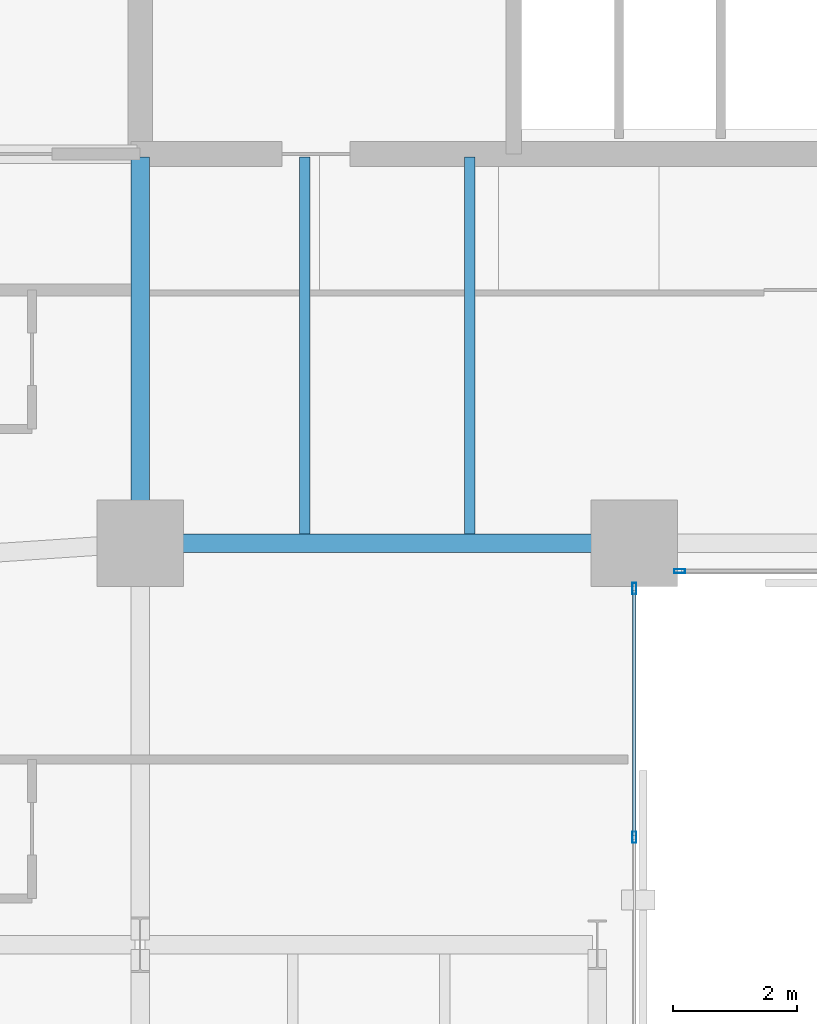
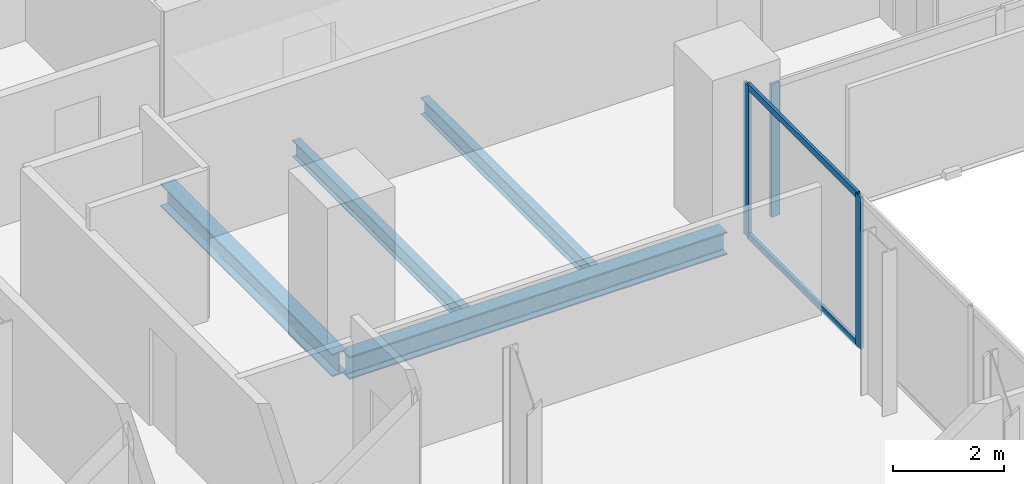
# One storey, part 13 of 32: 5 members, 4 beams, 2 elements without a shape of their own.
"""IFC4 building model written with IfcOpenShell, lengths in metres."""

from ifc_helpers import new_model, si_unit, direction, frame, origin, origin_2d, place, context, subcontext, project, spatial, hollow_rectangle, i_section, extrude, material, layer, layer_set, material_profile, profile_set, type_object, element, aggregate, save


model = new_model("IFC4")

# Units and contexts
model_context = context("Model", 3, precision=1e-05, world=origin(), true_north=direction((0.0, 1.0)))
body_context = subcontext(model_context, "Body", "Model", "MODEL_VIEW")
ifc_project = project(units=[si_unit("LENGTHUNIT", "METRE"), si_unit("AREAUNIT", "SQUARE_METRE"), si_unit("VOLUMEUNIT", "CUBIC_METRE"), si_unit("PLANEANGLEUNIT", "RADIAN"), si_unit("MASSUNIT", "GRAM", prefix="KILO")], contexts=[model_context])

# Site, building, storey
site_placement = place(None, origin())
site = spatial("IfcSite", under=ifc_project, at=site_placement, CompositionType="ELEMENT")
building_placement = place(site_placement, origin())
building = spatial("IfcBuilding", under=site, at=building_placement, Name="Catumbela Crestline Tower", CompositionType="ELEMENT")
storey_placement = place(building_placement, frame((0.0, 0.0, 65.4)))
storey = spatial("IfcBuildingStorey", under=building, at=storey_placement, Name="L16", CompositionType="ELEMENT", Elevation=65.4)

# Beams
ifc_material_1 = material(Name="Structural steel S355J2", Category="steel")
ifc_material_profile_1 = material_profile(ifc_material_1, i_section(OverallWidth=0.3, OverallDepth=0.5, WebThickness=0.0145, FlangeThickness=0.028, FilletRadius=0.027, at=origin_2d()), Name="HEB 500")
ifc_profile_set_1 = profile_set([ifc_material_profile_1], Name="Structural steel S355J2")
beam_type_1 = type_object("IfcBeamType", Name="BG-HEB500", PredefinedType="BEAM", material=ifc_profile_set_1)
beam_1_placement = place(storey_placement, frame((16.08, 24.5, -0.51), z_axis=(1.0, 0.0, 0.0), x_axis=(0.0, 1.0, 0.0)))
element("IfcBeam", 1, at=beam_1_placement, inside=storey, type_object=beam_type_1, Name="L16 Beam BM-L16-S04", PredefinedType="BEAM", context=body_context, shape_type="SweptSolid", body=[
    extrude(i_section(OverallWidth=0.3, OverallDepth=0.5, WebThickness=0.0145, FlangeThickness=0.028, FilletRadius=0.027, at=origin_2d()), origin(), (0.0, 0.0, 1.0), 7.84),
])
beam_2_placement = place(storey_placement, frame((16.0, 24.58, -0.51), z_axis=(0.0, 1.0, 0.0), x_axis=(-1.0, 0.0, 0.0)))
element("IfcBeam", 2, at=beam_2_placement, inside=storey, type_object=beam_type_1, Name="L16 Beam BM-L16-SNS31", PredefinedType="BEAM", context=body_context, shape_type="SweptSolid", body=[
    extrude(i_section(OverallWidth=0.3, OverallDepth=0.5, WebThickness=0.0145, FlangeThickness=0.028, FilletRadius=0.027, at=origin_2d()), origin(), (0.0, 0.0, 1.0), 6.17),
])
ifc_material_profile_2 = material_profile(ifc_material_1, i_section(OverallWidth=0.17, OverallDepth=0.36, WebThickness=0.008, FlangeThickness=0.0127, FilletRadius=0.018, at=origin_2d()), Name="IPE 360")
ifc_profile_set_2 = profile_set([ifc_material_profile_2], Name="Structural steel S355J2")
beam_type_2 = type_object("IfcBeamType", Name="BJ-IPE360", PredefinedType="JOIST", material=ifc_profile_set_2)
for number, where, z_axis, x_axis, name in (
    (3, (18.667, 24.647, -0.44), (0.0, 1.0, 0.0), (-1.0, 0.0, 0.0), "L16 Joist JS-L16-SP42"),
    (4, (21.333, 24.647, -0.44), (0.0, 1.0, 0.0), (-1.0, 0.0, 0.0), "L16 Joist JS-L16-SP43"),
):
    element("IfcBeam", number, at=place(storey_placement, frame(where, z_axis=z_axis, x_axis=x_axis)), inside=storey, type_object=beam_type_2, Name=name, PredefinedType="JOIST", context=body_context, shape_type="SweptSolid", body=[
        extrude(i_section(OverallWidth=0.17, OverallDepth=0.36, WebThickness=0.008, FlangeThickness=0.0127, FilletRadius=0.018, at=origin_2d()), origin(), (0.0, 0.0, 1.0), 6.103),
    ])

# Curtain wall, members
ifc_material_2 = material(Name="Aluminium alloy AW-6060-T66", Category="aluminium")
ifc_layer = layer(ifc_material_2, 0.18, Name="Aluminium alloy AW-6060-T66")
ifc_layer_set = layer_set([ifc_layer], Name="Aluminium alloy AW-6060-T66")
curtain_wall_type = type_object("IfcCurtainWallType", Name="CWU-Z1", PredefinedType="USERDEFINED", material=ifc_layer_set)
curtain_wall_1_placement = place(storey_placement, origin())
curtain_wall_1 = element("IfcCurtainWall", 5, at=curtain_wall_1_placement, inside=storey, type_object=curtain_wall_type, Name="L16 Unitised Curtain Wall CW-L16-E2S1", ObjectType="UNITISED", PredefinedType="USERDEFINED")
ifc_material_profile_3 = material_profile(ifc_material_2, hollow_rectangle(XDim=0.065, YDim=0.18, WallThickness=0.004, at=origin_2d()), Name="ALU 180x65x4")
ifc_profile_set_3 = profile_set([ifc_material_profile_3], Name="Aluminium alloy AW-6060-T66")
member_type_1 = type_object("IfcMemberType", Name="MUL-180X65", PredefinedType="MULLION", material=ifc_profile_set_3)
member_1_placement = place(storey_placement, frame((24.0, 19.74, 0.0), z_axis=(0.0, 0.0, 1.0), x_axis=(-1.0, 0.0, 0.0)))
member_1 = element("IfcMember", 6, at=member_1_placement, type_object=member_type_1, Name="CWU-Z1 mullion 5", PredefinedType="MULLION", context=body_context, shape_type="SweptSolid", body=[
    extrude(hollow_rectangle(XDim=0.065, YDim=0.18, WallThickness=0.004, at=origin_2d()), origin(), (0.0, 0.0, 1.0), 3.33),
])
member_2_placement = place(storey_placement, frame((24.0, 23.7675, 0.0), z_axis=(0.0, 0.0, 1.0), x_axis=(-1.0, 0.0, 0.0)))
member_2 = element("IfcMember", 7, at=member_2_placement, type_object=member_type_1, Name="CWU-Z1 mullion 6", PredefinedType="MULLION", context=body_context, shape_type="SweptSolid", body=[
    extrude(hollow_rectangle(XDim=0.065, YDim=0.18, WallThickness=0.004, at=origin_2d()), origin(), (0.0, 0.0, 1.0), 3.33),
])

# Curtain wall, member
curtain_wall_2_placement = place(storey_placement, origin())
curtain_wall_2 = element("IfcCurtainWall", 8, at=curtain_wall_2_placement, inside=storey, type_object=curtain_wall_type, Name="L16 Unitised Curtain Wall CW-L16-E3S1", ObjectType="UNITISED", PredefinedType="USERDEFINED")
member_3_placement = place(storey_placement, frame((24.7325, 24.05, 0.0), z_axis=(0.0, 0.0, 1.0), x_axis=(0.0, 1.0, 0.0)))
member_3 = element("IfcMember", 9, at=member_3_placement, type_object=member_type_1, Name="CWU-Z1 mullion 1", PredefinedType="MULLION", context=body_context, shape_type="SweptSolid", body=[
    extrude(hollow_rectangle(XDim=0.065, YDim=0.18, WallThickness=0.004, at=origin_2d()), origin(), (0.0, 0.0, 1.0), 2.92),
])
aggregate(curtain_wall_2, [member_3])

# Member
ifc_material_profile_4 = material_profile(ifc_material_2, hollow_rectangle(XDim=0.06, YDim=0.14, WallThickness=0.004, at=origin_2d()), Name="ALU 140x60x4")
ifc_profile_set_4 = profile_set([ifc_material_profile_4], Name="Aluminium alloy AW-6060-T66")
member_type_2 = type_object("IfcMemberType", Name="TRN-140X60", PredefinedType="USERDEFINED", material=ifc_profile_set_4)
member_4_placement = place(storey_placement, frame((24.0, 19.7725, 0.03), z_axis=(0.0, 1.0, 0.0), x_axis=(-1.0, 0.0, 0.0)))
member_4 = element("IfcMember", 10, at=member_4_placement, type_object=member_type_2, Name="CWU-Z1 transom 5.1", ObjectType="TRANSOM", PredefinedType="USERDEFINED", context=body_context, shape_type="SweptSolid", body=[
    extrude(hollow_rectangle(XDim=0.06, YDim=0.14, WallThickness=0.004, at=origin_2d()), origin(), (0.0, 0.0, 1.0), 3.9625),
])

member_5_placement = place(storey_placement, frame((24.0, 19.7725, 3.3), z_axis=(0.0, 1.0, 0.0), x_axis=(-1.0, 0.0, 0.0)))
member_5 = element("IfcMember", 11, at=member_5_placement, type_object=member_type_2, Name="CWU-Z1 transom 5.2", ObjectType="TRANSOM", PredefinedType="USERDEFINED", context=body_context, shape_type="SweptSolid", body=[
    extrude(hollow_rectangle(XDim=0.06, YDim=0.14, WallThickness=0.004, at=origin_2d()), origin(), (0.0, 0.0, 1.0), 3.9625),
])

aggregate(curtain_wall_1, [member_1, member_2, member_4, member_5])

save(model, "model.ifc")
